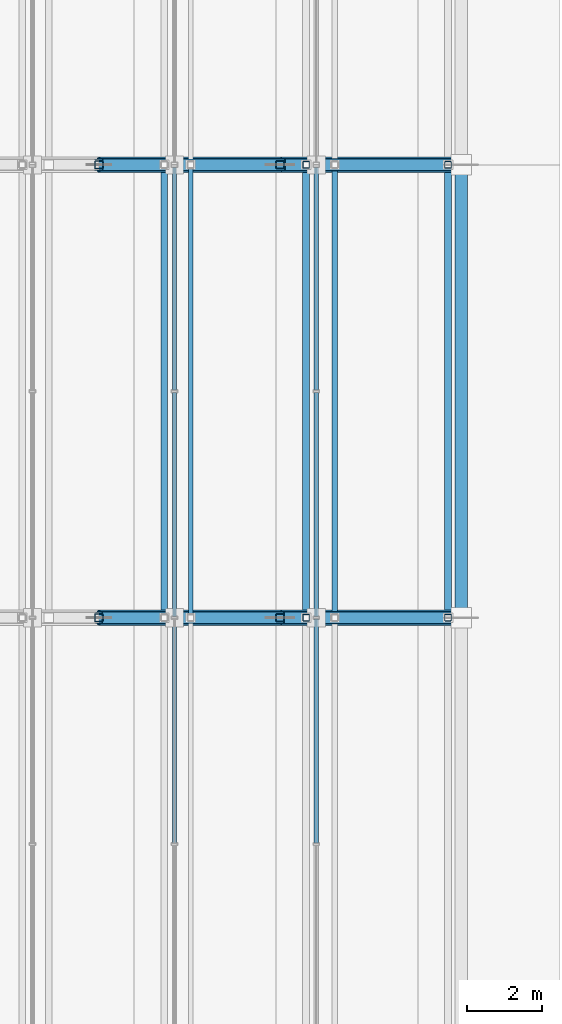
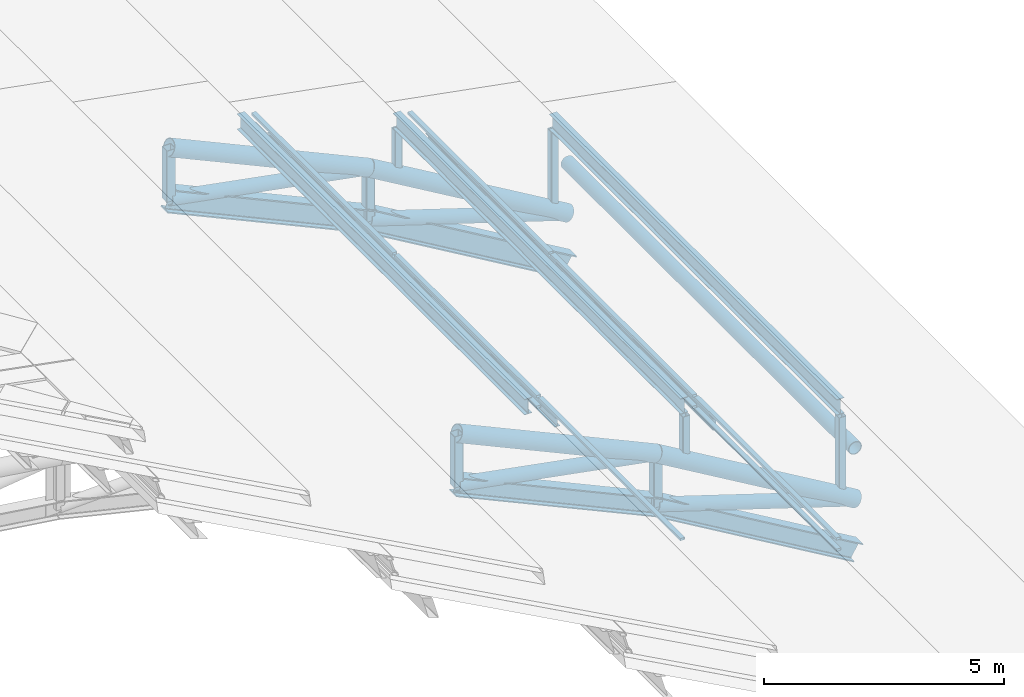
# One storey, part 21 of 117: 36 members, 1 beam, 2 elements without a shape of their own.
"""IFC4 building model written with IfcOpenShell, lengths in metres."""

from ifc_helpers import new_model, si_unit, direction, frame, origin, origin_2d, place, context, subcontext, project, spatial, hollow_rectangle, hollow_circle, i_section, extrude, material, material_profile, profile_set, type_object, element, aggregate, save


model = new_model("IFC4")

# Units and contexts
model_context = context("Model", 3, precision=1e-05, world=origin(), true_north=direction((0.0, 1.0)))
body_context = subcontext(model_context, "Body", "Model", "MODEL_VIEW")
ifc_project = project(units=[si_unit("LENGTHUNIT", "METRE"), si_unit("AREAUNIT", "SQUARE_METRE"), si_unit("VOLUMEUNIT", "CUBIC_METRE"), si_unit("PLANEANGLEUNIT", "RADIAN"), si_unit("MASSUNIT", "GRAM", prefix="KILO")], contexts=[model_context])

# Site, building, storey
site_placement = place(None, origin())
site = spatial("IfcSite", under=ifc_project, at=site_placement, CompositionType="ELEMENT")
building_placement = place(site_placement, origin())
building = spatial("IfcBuilding", under=site, at=building_placement, Name="Merenkruunu Market Hall", CompositionType="ELEMENT")
storey_placement = place(building_placement, frame((0.0, 0.0, 22.800048828125)))
storey = spatial("IfcBuildingStorey", under=building, at=storey_placement, Name="RF", CompositionType="ELEMENT", Elevation=22.800048828125)

# Members
ifc_material_1 = material(Name="Steel S355ML", Category="steel")
ifc_material_profile_1 = material_profile(ifc_material_1, hollow_circle(Radius=0.203125, WallThickness=0.01611328125, at=origin_2d()), Name="CHS 406.4x16")
ifc_profile_set_1 = profile_set([ifc_material_profile_1], Name="Steel S355ML")
member_type_1 = type_object("IfcMemberType", Name="Arch Truss Chord TC02", PredefinedType="CHORD", material=ifc_profile_set_1)
member_1_placement = place(storey_placement, frame((48.0, 51.60009765625, -5.12109375), z_axis=(0.909419998666, 0.0, -0.415878907889), x_axis=(0.0, 1.0, 0.0)))
element("IfcMember", 1, at=member_1_placement, inside=storey, type_object=member_type_1, Name="TRUSS-AT-4-TOP-11", PredefinedType="CHORD", context=body_context, shape_type="SweptSolid", body=[
    extrude(hollow_circle(Radius=0.203125, WallThickness=0.01611328125, at=origin_2d()), origin(), (0.0, 0.0, 1.0), 5.278076171875),
])
member_2_placement = place(storey_placement, frame((52.800048828125, 51.60009765625, -7.316162109375), z_axis=(0.861115679414, 0.0, -0.508409074139), x_axis=(0.0, 1.0, 0.0)))
element("IfcMember", 2, at=member_2_placement, inside=storey, type_object=member_type_1, Name="TRUSS-AT-4-TOP-12", PredefinedType="CHORD", context=body_context, shape_type="SweptSolid", body=[
    extrude(hollow_circle(Radius=0.203125, WallThickness=0.01611328125, at=origin_2d()), origin(), (0.0, 0.0, 1.0), 5.57421875),
])
member_3_placement = place(storey_placement, frame((48.0, 63.60009765625, -5.12109375), z_axis=(0.909419998666, 0.0, -0.415878907889), x_axis=(0.0, 1.0, 0.0)))
element("IfcMember", 3, at=member_3_placement, inside=storey, type_object=member_type_1, Name="TRUSS-AT-5-TOP-11", PredefinedType="CHORD", context=body_context, shape_type="SweptSolid", body=[
    extrude(hollow_circle(Radius=0.203125, WallThickness=0.01611328125, at=origin_2d()), origin(), (0.0, 0.0, 1.0), 5.278076171875),
])
member_4_placement = place(storey_placement, frame((52.800048828125, 63.60009765625, -7.316162109375), z_axis=(0.861115679414, 0.0, -0.508409074139), x_axis=(0.0, 1.0, 0.0)))
element("IfcMember", 4, at=member_4_placement, inside=storey, type_object=member_type_1, Name="TRUSS-AT-5-TOP-12", PredefinedType="CHORD", context=body_context, shape_type="SweptSolid", body=[
    extrude(hollow_circle(Radius=0.203125, WallThickness=0.01611328125, at=origin_2d()), origin(), (0.0, 0.0, 1.0), 5.57421875),
])
ifc_material_profile_2 = material_profile(ifc_material_1, i_section(OverallWidth=0.300048828125, OverallDepth=0.550048828125, WebThickness=0.014892578125, FlangeThickness=0.029052734375, FilletRadius=0.027099609375, at=origin_2d()), Name="HEB 550")
ifc_profile_set_2 = profile_set([ifc_material_profile_2], Name="Steel S355ML")
member_type_2 = type_object("IfcMemberType", Name="Arch Truss Chord TC03", PredefinedType="CHORD", material=ifc_profile_set_2)
member_5_placement = place(storey_placement, frame((48.0, 63.60009765625, -6.421142578125), z_axis=(0.909437492245, 0.0, -0.415840651812), x_axis=(0.0, 1.0, 0.0)))
element("IfcMember", 5, at=member_5_placement, inside=storey, type_object=member_type_2, Name="TRUSS-AT-5-BOT-11", PredefinedType="CHORD", context=body_context, shape_type="SweptSolid", body=[
    extrude(i_section(OverallWidth=0.300048828125, OverallDepth=0.550048828125, WebThickness=0.014892578125, FlangeThickness=0.029052734375, FilletRadius=0.027099609375, at=origin_2d()), origin(), (0.0, 0.0, 1.0), 5.278076171875),
])
member_6_placement = place(storey_placement, frame((52.800048828125, 63.60009765625, -8.615966796875), z_axis=(0.861115679414, 0.0, -0.508409074139), x_axis=(0.0, 1.0, 0.0)))
element("IfcMember", 6, at=member_6_placement, inside=storey, type_object=member_type_2, Name="TRUSS-AT-5-BOT-12", PredefinedType="CHORD", context=body_context, shape_type="SweptSolid", body=[
    extrude(i_section(OverallWidth=0.300048828125, OverallDepth=0.550048828125, WebThickness=0.014892578125, FlangeThickness=0.029052734375, FilletRadius=0.027099609375, at=origin_2d()), origin(), (0.0, 0.0, 1.0), 5.57421875),
])
ifc_material_profile_3 = material_profile(ifc_material_1, i_section(OverallWidth=0.300048828125, OverallDepth=0.449951171875, WebThickness=0.013916015625, FlangeThickness=0.02587890625, FilletRadius=0.027099609375, at=origin_2d()), Name="HEB 450")
ifc_profile_set_3 = profile_set([ifc_material_profile_3], Name="Steel S355ML")
member_type_3 = type_object("IfcMemberType", Name="Arch Truss Chord TC04", PredefinedType="CHORD", material=ifc_profile_set_3)
member_7_placement = place(storey_placement, frame((48.0, 51.60009765625, -6.421142578125), z_axis=(0.909437492245, 0.0, -0.415840651812), x_axis=(0.0, 1.0, 0.0)))
element("IfcMember", 7, at=member_7_placement, inside=storey, type_object=member_type_3, Name="TRUSS-AT-4-BOT-11", PredefinedType="CHORD", context=body_context, shape_type="SweptSolid", body=[
    extrude(i_section(OverallWidth=0.300048828125, OverallDepth=0.449951171875, WebThickness=0.013916015625, FlangeThickness=0.02587890625, FilletRadius=0.027099609375, at=origin_2d()), origin(), (0.0, 0.0, 1.0), 5.278076171875),
])
member_8_placement = place(storey_placement, frame((52.800048828125, 51.60009765625, -8.615966796875), z_axis=(0.861115679414, 0.0, -0.508409074139), x_axis=(0.0, 1.0, 0.0)))
element("IfcMember", 8, at=member_8_placement, inside=storey, type_object=member_type_3, Name="TRUSS-AT-4-BOT-12", PredefinedType="CHORD", context=body_context, shape_type="SweptSolid", body=[
    extrude(i_section(OverallWidth=0.300048828125, OverallDepth=0.449951171875, WebThickness=0.013916015625, FlangeThickness=0.02587890625, FilletRadius=0.027099609375, at=origin_2d()), origin(), (0.0, 0.0, 1.0), 5.57421875),
])

# Curtain wall, members
ifc_material_2 = material(Name="Powder-coated aluminium", Category="aluminium")
curtain_wall_type = type_object("IfcCurtainWallType", Name="Clerestory Curtain Band CL05", PredefinedType="USERDEFINED", material=ifc_material_2)
curtain_wall_1_placement = place(storey_placement, origin())
curtain_wall_1 = element("IfcCurtainWall", 9, at=curtain_wall_1_placement, inside=storey, type_object=curtain_wall_type, Name="CW-RF-CWM04-084", ObjectType="CLERESTORY_BAND", PredefinedType="USERDEFINED")
ifc_material_profile_4 = material_profile(ifc_material_2, hollow_rectangle(XDim=0.06005859375, YDim=0.110107421875, WallThickness=0.00390625, at=origin_2d()), Name="ALU 60x110x4")
ifc_profile_set_4 = profile_set([ifc_material_profile_4], Name="Powder-coated aluminium")
member_type_4 = type_object("IfcMemberType", Name="Curtain Wall Transom CWT03", PredefinedType="USERDEFINED", material=ifc_profile_set_4)
member_9_placement = place(storey_placement, frame((53.760009765625, 63.530029296875, -6.491943359375), z_axis=(0.0, -1.0, 0.0), x_axis=(0.0, 0.0, 1.0)))
member_9 = element("IfcMember", 10, at=member_9_placement, type_object=member_type_4, Name="CL05 transom 1.1", ObjectType="TRANSOM", PredefinedType="USERDEFINED", context=body_context, shape_type="SweptSolid", body=[
    extrude(hollow_rectangle(XDim=0.06005859375, YDim=0.110107421875, WallThickness=0.00390625, at=origin_2d()), origin(), (0.0, 0.0, 1.0), 5.89501953125),
])
member_10_placement = place(storey_placement, frame((53.760009765625, 63.530029296875, -6.2041015625), z_axis=(0.0, -1.0, 0.0), x_axis=(0.0, 0.0, 1.0)))
member_10 = element("IfcMember", 11, at=member_10_placement, type_object=member_type_4, Name="CL05 transom 1.2", ObjectType="TRANSOM", PredefinedType="USERDEFINED", context=body_context, shape_type="SweptSolid", body=[
    extrude(hollow_rectangle(XDim=0.06005859375, YDim=0.110107421875, WallThickness=0.00390625, at=origin_2d()), origin(), (0.0, 0.0, 1.0), 5.89501953125),
])
member_11_placement = place(storey_placement, frame((53.760009765625, 57.56494140625, -6.491943359375), z_axis=(0.0, -1.0, 0.0), x_axis=(0.0, 0.0, 1.0)))
member_11 = element("IfcMember", 12, at=member_11_placement, type_object=member_type_4, Name="CL05 transom 2.1", ObjectType="TRANSOM", PredefinedType="USERDEFINED", context=body_context, shape_type="SweptSolid", body=[
    extrude(hollow_rectangle(XDim=0.06005859375, YDim=0.110107421875, WallThickness=0.00390625, at=origin_2d()), origin(), (0.0, 0.0, 1.0), 5.929931640625),
])
member_12_placement = place(storey_placement, frame((53.760009765625, 57.56494140625, -6.2041015625), z_axis=(0.0, -1.0, 0.0), x_axis=(0.0, 0.0, 1.0)))
member_12 = element("IfcMember", 13, at=member_12_placement, type_object=member_type_4, Name="CL05 transom 2.2", ObjectType="TRANSOM", PredefinedType="USERDEFINED", context=body_context, shape_type="SweptSolid", body=[
    extrude(hollow_rectangle(XDim=0.06005859375, YDim=0.110107421875, WallThickness=0.00390625, at=origin_2d()), origin(), (0.0, 0.0, 1.0), 5.929931640625),
])
member_13_placement = place(storey_placement, frame((53.760009765625, 51.56494140625, -6.491943359375), z_axis=(0.0, -1.0, 0.0), x_axis=(0.0, 0.0, 1.0)))
member_13 = element("IfcMember", 14, at=member_13_placement, type_object=member_type_4, Name="CL05 transom 3.1", ObjectType="TRANSOM", PredefinedType="USERDEFINED", context=body_context, shape_type="SweptSolid", body=[
    extrude(hollow_rectangle(XDim=0.06005859375, YDim=0.110107421875, WallThickness=0.00390625, at=origin_2d()), origin(), (0.0, 0.0, 1.0), 5.929931640625),
])
member_14_placement = place(storey_placement, frame((53.760009765625, 51.56494140625, -6.2041015625), z_axis=(0.0, -1.0, 0.0), x_axis=(0.0, 0.0, 1.0)))
member_14 = element("IfcMember", 15, at=member_14_placement, type_object=member_type_4, Name="CL05 transom 3.2", ObjectType="TRANSOM", PredefinedType="USERDEFINED", context=body_context, shape_type="SweptSolid", body=[
    extrude(hollow_rectangle(XDim=0.06005859375, YDim=0.110107421875, WallThickness=0.00390625, at=origin_2d()), origin(), (0.0, 0.0, 1.0), 5.929931640625),
])
aggregate(curtain_wall_1, [member_9, member_10, member_11, member_12, member_13, member_14])

curtain_wall_2_placement = place(storey_placement, origin())
curtain_wall_2 = element("IfcCurtainWall", 16, at=curtain_wall_2_placement, inside=storey, type_object=curtain_wall_type, Name="CW-RF-CWM04-092", ObjectType="CLERESTORY_BAND", PredefinedType="USERDEFINED")
member_15_placement = place(storey_placement, frame((50.0, 63.530029296875, -5.172119140625), z_axis=(0.0, -1.0, 0.0), x_axis=(0.0, 0.0, 1.0)))
member_15 = element("IfcMember", 17, at=member_15_placement, type_object=member_type_4, Name="CL05 transom 1.1", ObjectType="TRANSOM", PredefinedType="USERDEFINED", context=body_context, shape_type="SweptSolid", body=[
    extrude(hollow_rectangle(XDim=0.06005859375, YDim=0.110107421875, WallThickness=0.00390625, at=origin_2d()), origin(), (0.0, 0.0, 1.0), 5.89501953125),
])
member_16_placement = place(storey_placement, frame((50.0, 63.530029296875, -4.905029296875), z_axis=(0.0, -1.0, 0.0), x_axis=(0.0, 0.0, 1.0)))
member_16 = element("IfcMember", 18, at=member_16_placement, type_object=member_type_4, Name="CL05 transom 1.2", ObjectType="TRANSOM", PredefinedType="USERDEFINED", context=body_context, shape_type="SweptSolid", body=[
    extrude(hollow_rectangle(XDim=0.06005859375, YDim=0.110107421875, WallThickness=0.00390625, at=origin_2d()), origin(), (0.0, 0.0, 1.0), 5.89501953125),
])
member_17_placement = place(storey_placement, frame((50.0, 57.56494140625, -5.172119140625), z_axis=(0.0, -1.0, 0.0), x_axis=(0.0, 0.0, 1.0)))
member_17 = element("IfcMember", 19, at=member_17_placement, type_object=member_type_4, Name="CL05 transom 2.1", ObjectType="TRANSOM", PredefinedType="USERDEFINED", context=body_context, shape_type="SweptSolid", body=[
    extrude(hollow_rectangle(XDim=0.06005859375, YDim=0.110107421875, WallThickness=0.00390625, at=origin_2d()), origin(), (0.0, 0.0, 1.0), 5.929931640625),
])
member_18_placement = place(storey_placement, frame((50.0, 57.56494140625, -4.905029296875), z_axis=(0.0, -1.0, 0.0), x_axis=(0.0, 0.0, 1.0)))
member_18 = element("IfcMember", 20, at=member_18_placement, type_object=member_type_4, Name="CL05 transom 2.2", ObjectType="TRANSOM", PredefinedType="USERDEFINED", context=body_context, shape_type="SweptSolid", body=[
    extrude(hollow_rectangle(XDim=0.06005859375, YDim=0.110107421875, WallThickness=0.00390625, at=origin_2d()), origin(), (0.0, 0.0, 1.0), 5.929931640625),
])
member_19_placement = place(storey_placement, frame((50.0, 51.56494140625, -4.905029296875), z_axis=(0.0, -1.0, 0.0), x_axis=(0.0, 0.0, 1.0)))
member_19 = element("IfcMember", 21, at=member_19_placement, type_object=member_type_4, Name="CL05 transom 3.2", ObjectType="TRANSOM", PredefinedType="USERDEFINED", context=body_context, shape_type="SweptSolid", body=[
    extrude(hollow_rectangle(XDim=0.06005859375, YDim=0.110107421875, WallThickness=0.00390625, at=origin_2d()), origin(), (0.0, 0.0, 1.0), 5.929931640625),
])
aggregate(curtain_wall_2, [member_15, member_16, member_17, member_18, member_19])

# Members
ifc_material_profile_5 = material_profile(ifc_material_1, hollow_circle(Radius=0.161865234375, WallThickness=0.01611328125, at=origin_2d()), Name="CHS 323.9x16")
ifc_profile_set_5 = profile_set([ifc_material_profile_5], Name="Steel S355ML")
member_type_5 = type_object("IfcMemberType", Name="Diagonal Sway Brace BR01", PredefinedType="BRACE", material=ifc_profile_set_5)
member_20_placement = place(storey_placement, frame((48.0, 51.60009765625, -6.421142578125), z_axis=(0.983056786802, 0.0, -0.18330126547), x_axis=(0.0, 1.0, 0.0)))
element("IfcMember", 22, at=member_20_placement, inside=storey, type_object=member_type_5, Name="TRUSS-AT-4-DIAG-11", PredefinedType="BRACE", context=body_context, shape_type="SweptSolid", body=[
    extrude(hollow_circle(Radius=0.161865234375, WallThickness=0.01611328125, at=origin_2d()), origin(), (0.0, 0.0, 1.0), 4.8828125),
])
member_21_placement = place(storey_placement, frame((52.800048828125, 51.60009765625, -8.615966796875), z_axis=(0.95252984503, 0.0, -0.304445223853), x_axis=(0.0, 1.0, 0.0)))
element("IfcMember", 23, at=member_21_placement, inside=storey, type_object=member_type_5, Name="TRUSS-AT-4-DIAG-12", PredefinedType="BRACE", context=body_context, shape_type="SweptSolid", body=[
    extrude(hollow_circle(Radius=0.161865234375, WallThickness=0.01611328125, at=origin_2d()), origin(), (0.0, 0.0, 1.0), 5.039306640625),
])
member_22_placement = place(storey_placement, frame((48.0, 63.60009765625, -6.421142578125), z_axis=(0.983056786802, 0.0, -0.18330126547), x_axis=(0.0, 1.0, 0.0)))
element("IfcMember", 24, at=member_22_placement, inside=storey, type_object=member_type_5, Name="TRUSS-AT-5-DIAG-11", PredefinedType="BRACE", context=body_context, shape_type="SweptSolid", body=[
    extrude(hollow_circle(Radius=0.161865234375, WallThickness=0.01611328125, at=origin_2d()), origin(), (0.0, 0.0, 1.0), 4.8828125),
])
member_23_placement = place(storey_placement, frame((52.800048828125, 63.60009765625, -8.615966796875), z_axis=(0.95252984503, 0.0, -0.304445223853), x_axis=(0.0, 1.0, 0.0)))
element("IfcMember", 25, at=member_23_placement, inside=storey, type_object=member_type_5, Name="TRUSS-AT-5-DIAG-12", PredefinedType="BRACE", context=body_context, shape_type="SweptSolid", body=[
    extrude(hollow_circle(Radius=0.161865234375, WallThickness=0.01611328125, at=origin_2d()), origin(), (0.0, 0.0, 1.0), 5.039306640625),
])
ifc_material_3 = material(Name="Steel S355J2", Category="steel")
ifc_material_profile_6 = material_profile(ifc_material_3, hollow_rectangle(XDim=0.219970703125, YDim=0.219970703125, WallThickness=0.012451171875, InnerFilletRadius=0.012451171875, OuterFilletRadius=0.02490234375, at=origin_2d()), Name="SHS 220x220x12.5")
ifc_profile_set_6 = profile_set([ifc_material_profile_6], Name="Steel S355J2")
member_type_6 = type_object("IfcMemberType", Name="Diagonal Sway Brace BR04", PredefinedType="BRACE", material=ifc_profile_set_6)
member_24_placement = place(storey_placement, frame((48.0, 51.60009765625, -6.421142578125), z_axis=(0.0, 0.0, 1.0), x_axis=(1.0, 0.0, 0.0)))
element("IfcMember", 26, at=member_24_placement, inside=storey, type_object=member_type_6, Name="TRUSS-AT-4-POST-10", PredefinedType="BRACE", context=body_context, shape_type="SweptSolid", body=[
    extrude(hollow_rectangle(XDim=0.219970703125, YDim=0.219970703125, WallThickness=0.012451171875, InnerFilletRadius=0.012451171875, OuterFilletRadius=0.02490234375, at=origin_2d()), origin(), (0.0, 0.0, 1.0), 1.300048828125),
])
member_25_placement = place(storey_placement, frame((52.800048828125, 51.60009765625, -8.615966796875), z_axis=(0.0, 0.0, 1.0), x_axis=(1.0, 0.0, 0.0)))
element("IfcMember", 27, at=member_25_placement, inside=storey, type_object=member_type_6, Name="TRUSS-AT-4-POST-11", PredefinedType="BRACE", context=body_context, shape_type="SweptSolid", body=[
    extrude(hollow_rectangle(XDim=0.219970703125, YDim=0.219970703125, WallThickness=0.012451171875, InnerFilletRadius=0.012451171875, OuterFilletRadius=0.02490234375, at=origin_2d()), origin(), (0.0, 0.0, 1.0), 1.2998046875),
])
member_26_placement = place(storey_placement, frame((48.0, 63.60009765625, -6.421142578125), z_axis=(0.0, 0.0, 1.0), x_axis=(1.0, 0.0, 0.0)))
element("IfcMember", 28, at=member_26_placement, inside=storey, type_object=member_type_6, Name="TRUSS-AT-5-POST-10", PredefinedType="BRACE", context=body_context, shape_type="SweptSolid", body=[
    extrude(hollow_rectangle(XDim=0.219970703125, YDim=0.219970703125, WallThickness=0.012451171875, InnerFilletRadius=0.012451171875, OuterFilletRadius=0.02490234375, at=origin_2d()), origin(), (0.0, 0.0, 1.0), 1.300048828125),
])
member_27_placement = place(storey_placement, frame((52.800048828125, 63.60009765625, -8.615966796875), z_axis=(0.0, 0.0, 1.0), x_axis=(1.0, 0.0, 0.0)))
element("IfcMember", 29, at=member_27_placement, inside=storey, type_object=member_type_6, Name="TRUSS-AT-5-POST-11", PredefinedType="BRACE", context=body_context, shape_type="SweptSolid", body=[
    extrude(hollow_rectangle(XDim=0.219970703125, YDim=0.219970703125, WallThickness=0.012451171875, InnerFilletRadius=0.012451171875, OuterFilletRadius=0.02490234375, at=origin_2d()), origin(), (0.0, 0.0, 1.0), 1.2998046875),
])
ifc_material_profile_7 = material_profile(ifc_material_3, hollow_rectangle(XDim=0.179931640625, YDim=0.179931640625, WallThickness=0.010009765625, InnerFilletRadius=0.010009765625, OuterFilletRadius=0.02001953125, at=origin_2d()), Name="SHS 180x180x10")
ifc_profile_set_7 = profile_set([ifc_material_profile_7], Name="Steel S355J2")
member_type_7 = type_object("IfcMemberType", Name="Diagonal Sway Brace BR05", PredefinedType="BRACE", material=ifc_profile_set_7)
member_28_placement = place(storey_placement, frame((57.25, 51.60009765625, -9.751953125), z_axis=(0.0, 0.0, 1.0), x_axis=(1.0, 0.0, 0.0)))
element("IfcMember", 30, at=member_28_placement, inside=storey, type_object=member_type_7, Name="TRUSS-AT-4-RISER-E1-1", PredefinedType="BRACE", context=body_context, shape_type="SweptSolid", body=[
    extrude(hollow_rectangle(XDim=0.179931640625, YDim=0.179931640625, WallThickness=0.010009765625, InnerFilletRadius=0.010009765625, OuterFilletRadius=0.02001953125, at=origin_2d()), origin(), (0.0, 0.0, 1.0), 1.853515625),
])
member_29_placement = place(storey_placement, frame((53.489990234375, 51.60009765625, -7.53173828125), z_axis=(0.0, 0.0, 1.0), x_axis=(1.0, 0.0, 0.0)))
element("IfcMember", 31, at=member_29_placement, inside=storey, type_object=member_type_7, Name="TRUSS-AT-4-RISER-E2-1", PredefinedType="BRACE", context=body_context, shape_type="SweptSolid", body=[
    extrude(hollow_rectangle(XDim=0.179931640625, YDim=0.179931640625, WallThickness=0.010009765625, InnerFilletRadius=0.010009765625, OuterFilletRadius=0.02001953125, at=origin_2d()), origin(), (0.0, 0.0, 1.0), 0.9736328125),
])
member_30_placement = place(storey_placement, frame((57.25, 63.60009765625, -9.751953125), z_axis=(0.0, 0.0, 1.0), x_axis=(1.0, 0.0, 0.0)))
element("IfcMember", 32, at=member_30_placement, inside=storey, type_object=member_type_7, Name="TRUSS-AT-5-RISER-E1-1", PredefinedType="BRACE", context=body_context, shape_type="SweptSolid", body=[
    extrude(hollow_rectangle(XDim=0.179931640625, YDim=0.179931640625, WallThickness=0.010009765625, InnerFilletRadius=0.010009765625, OuterFilletRadius=0.02001953125, at=origin_2d()), origin(), (0.0, 0.0, 1.0), 1.853515625),
])
member_31_placement = place(storey_placement, frame((53.489990234375, 63.60009765625, -7.53173828125), z_axis=(0.0, 0.0, 1.0), x_axis=(1.0, 0.0, 0.0)))
element("IfcMember", 33, at=member_31_placement, inside=storey, type_object=member_type_7, Name="TRUSS-AT-5-RISER-E2-1", PredefinedType="BRACE", context=body_context, shape_type="SweptSolid", body=[
    extrude(hollow_rectangle(XDim=0.179931640625, YDim=0.179931640625, WallThickness=0.010009765625, InnerFilletRadius=0.010009765625, OuterFilletRadius=0.02001953125, at=origin_2d()), origin(), (0.0, 0.0, 1.0), 0.9736328125),
])

# Beam
ifc_material_profile_8 = material_profile(ifc_material_1, hollow_circle(Radius=0.161865234375, WallThickness=0.01611328125, at=origin_2d()), Name="CHS 323.9x16")
ifc_profile_set_8 = profile_set([ifc_material_profile_8], Name="Steel S355ML")
beam_type = type_object("IfcBeamType", Name="Perimeter Spandrel Beam SP05", PredefinedType="SPANDREL", material=ifc_profile_set_8)
beam_placement = place(storey_placement, frame((57.60009765625, 51.60009765625, -8.862060546875), z_axis=(0.0, 1.0, 0.0), x_axis=(-1.0, 0.0, 0.0)))
element("IfcBeam", 34, at=beam_placement, inside=storey, type_object=beam_type, Name="BM-RF-SP05-1277", PredefinedType="SPANDREL", context=body_context, shape_type="SweptSolid", body=[
    extrude(hollow_circle(Radius=0.161865234375, WallThickness=0.01611328125, at=origin_2d()), origin(), (0.0, 0.0, 1.0), 12.0),
])

# Members
ifc_material_profile_9 = material_profile(ifc_material_1, i_section(OverallWidth=0.14990234375, OverallDepth=0.300048828125, WebThickness=0.007080078125, FlangeThickness=0.0107421875, FilletRadius=0.014892578125, at=origin_2d()), Name="IPE 300")
ifc_profile_set_9 = profile_set([ifc_material_profile_9], Name="Steel S355ML")
member_type_8 = type_object("IfcMemberType", Name="Roof Purlin Rafter PR01", PredefinedType="PURLIN", material=ifc_profile_set_9)
member_32_placement = place(storey_placement, frame((54.25, 51.60009765625, -7.071533203125), z_axis=(0.0, 1.0, 0.0), x_axis=(-1.0, 0.0, 0.0)))
element("IfcMember", 35, at=member_32_placement, inside=storey, type_object=member_type_8, Name="MEM-RF-PURL-E-024", PredefinedType="PURLIN", context=body_context, shape_type="SweptSolid", body=[
    extrude(i_section(OverallWidth=0.14990234375, OverallDepth=0.300048828125, WebThickness=0.007080078125, FlangeThickness=0.0107421875, FilletRadius=0.014892578125, at=origin_2d()), origin(), (0.0, 0.0, 1.0), 12.0),
])
ifc_material_profile_10 = material_profile(ifc_material_1, i_section(OverallWidth=0.1201171875, OverallDepth=0.239990234375, WebThickness=0.006103515625, FlangeThickness=0.009765625, FilletRadius=0.014892578125, at=origin_2d()), Name="IPE 240")
ifc_profile_set_10 = profile_set([ifc_material_profile_10], Name="Steel S355ML")
member_type_9 = type_object("IfcMemberType", Name="Roof Purlin Rafter PR02", PredefinedType="PURLIN", material=ifc_profile_set_10)
member_33_placement = place(storey_placement, frame((50.429931640625, 51.60009765625, -5.687255859375), z_axis=(0.0, 1.0, 0.0), x_axis=(-1.0, 0.0, 0.0)))
element("IfcMember", 36, at=member_33_placement, inside=storey, type_object=member_type_9, Name="MEM-RF-PURL-E-056", PredefinedType="PURLIN", context=body_context, shape_type="SweptSolid", body=[
    extrude(i_section(OverallWidth=0.1201171875, OverallDepth=0.239990234375, WebThickness=0.006103515625, FlangeThickness=0.009765625, FilletRadius=0.014892578125, at=origin_2d()), origin(), (0.0, 0.0, 1.0), 12.0),
])
ifc_material_profile_11 = material_profile(ifc_material_1, i_section(OverallWidth=0.179931640625, OverallDepth=0.39990234375, WebThickness=0.008544921875, FlangeThickness=0.013427734375, FilletRadius=0.02099609375, at=origin_2d()), Name="IPE 400")
ifc_profile_set_11 = profile_set([ifc_material_profile_11], Name="Steel S355ML")
member_type_10 = type_object("IfcMemberType", Name="Roof Purlin Rafter PR09", PredefinedType="PURLIN", material=ifc_profile_set_11)
for number, where, z_axis, x_axis, name in (
    (37, (57.25, 51.60009765625, -7.680419921875), (0.0, 1.0, 0.0), (-1.0, 0.0, 0.0), "MEM-RF-PURL-E-008"),
    (38, (53.489990234375, 51.60009765625, -6.340087890625), (0.0, 1.0, 0.0), (-1.0, 0.0, 0.0), "MEM-RF-PURL-E-040"),
    (39, (49.72998046875, 51.60009765625, -5.040283203125), (0.0, 1.0, 0.0), (-1.0, 0.0, 0.0), "MEM-RF-PURL-E-072"),
):
    element("IfcMember", number, at=place(storey_placement, frame(where, z_axis=z_axis, x_axis=x_axis)), inside=storey, type_object=member_type_10, Name=name, PredefinedType="PURLIN", context=body_context, shape_type="SweptSolid", body=[
        extrude(i_section(OverallWidth=0.179931640625, OverallDepth=0.39990234375, WebThickness=0.008544921875, FlangeThickness=0.013427734375, FilletRadius=0.02099609375, at=origin_2d()), origin(), (0.0, 0.0, 1.0), 12.0),
    ])

save(model, "model.ifc")
